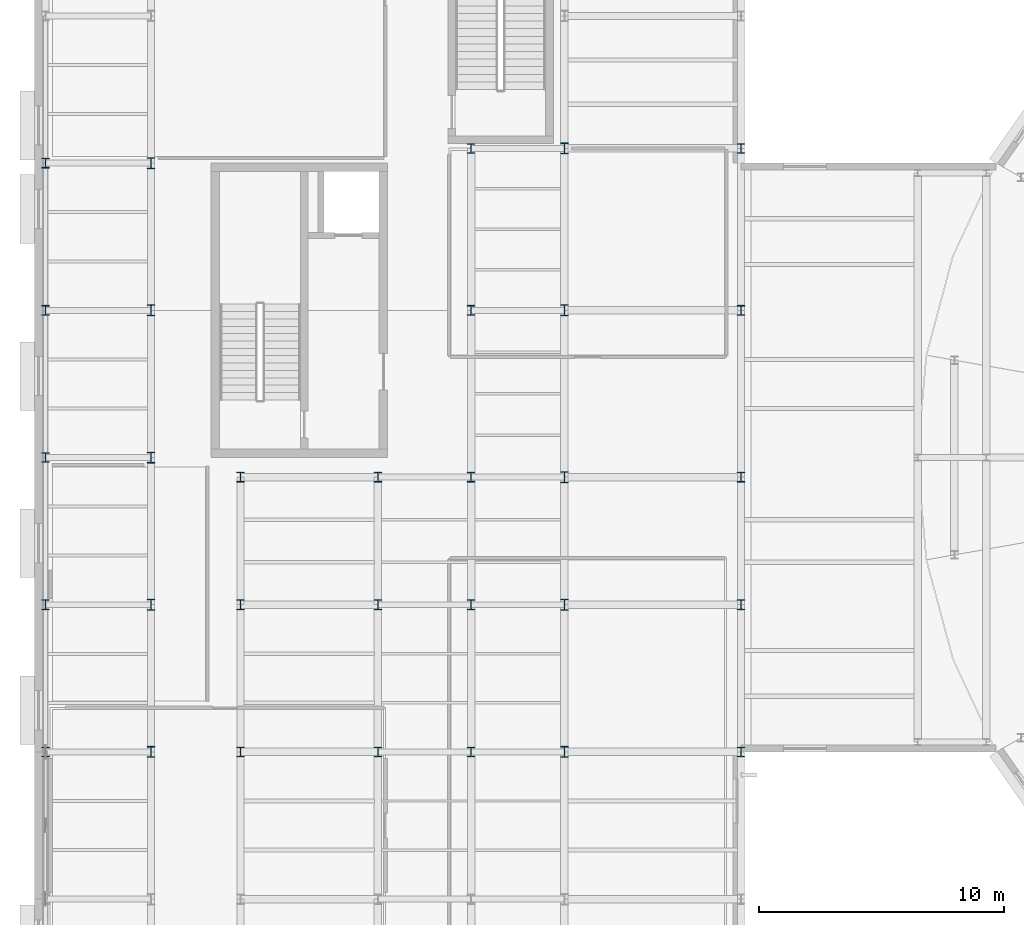
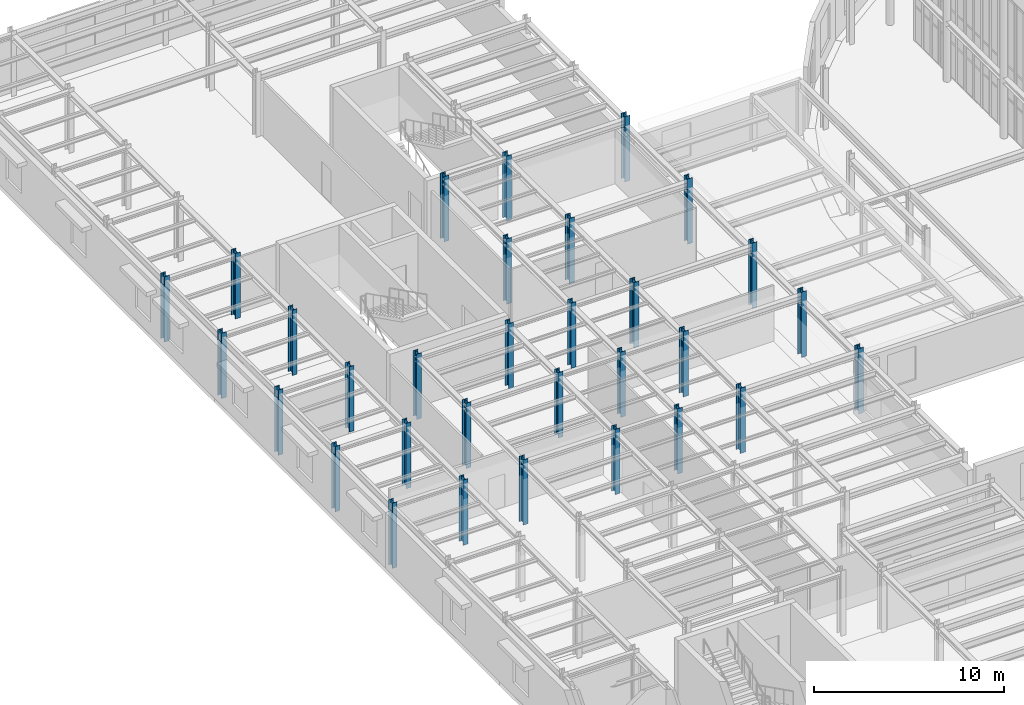
# One storey, part 3 of 75: 31 columns.
"""IFC4 building model written with IfcOpenShell, lengths in metres."""

import ifcopenshell
import ifcopenshell.guid

model = None  # the IFC model being written
_history = None  # IfcOwnerHistory: only IFC2X3 demands one
_inside = {}  # id of a spatial element -> (the spatial element, [elements in it])
_under = {}  # id of a project, library or spatial element -> (it, [spatial elements below it])
_declared = {}  # id of a project -> (the project, [libraries it declares])
_typed = {}  # id of a type object -> (the type object, [elements of that type])
_made_of = {}  # id of a material, layer set ... -> (it, [elements and type objects made of it])


def new_model(schema):
    """Start an empty IFC model of exactly this schema.

    Asked for "IFC4X3", IfcOpenShell would pick the latest addendum, in which some entities
    have other attributes; the version numbers below select the first issue.
    IFC2X3 requires an IfcOwnerHistory on every rooted entity: one is made here for all.
    """
    global model, _history
    if schema == "IFC4X3":
        model = ifcopenshell.file(schema_version=(4, 3, 0, 0))
    else:
        model = ifcopenshell.file(schema=schema)
    _inside.clear()
    _under.clear()
    _declared.clear()
    _typed.clear()
    _made_of.clear()
    _history = None
    if model.schema == "IFC2X3":
        org = make("IfcOrganization", Name="unknown")
        user = make(
            "IfcPersonAndOrganization",
            ThePerson=make("IfcPerson", FamilyName="unknown"),
            TheOrganization=org,
        )
        app = make(
            "IfcApplication",
            ApplicationDeveloper=org,
            Version="unknown",
            ApplicationFullName="unknown",
            ApplicationIdentifier="unknown",
        )
        _history = make(
            "IfcOwnerHistory",
            OwningUser=user,
            OwningApplication=app,
            ChangeAction="ADDED",
            CreationDate=0,
        )
    return model


def make(cls, **values):
    """One entity of the class cls with the attributes given. An attribute that is None is left unset."""
    return model.create_entity(
        cls, **{name: value for name, value in values.items() if value is not None}
    )


def rooted(cls, **values):
    """An entity with a GlobalId (a new one), such as an element, a storey or a relation."""
    return make(cls, GlobalId=ifcopenshell.guid.new(), OwnerHistory=_history, **values)


def si_unit(unit_type, name, prefix=None):
    """IfcSIUnit, for example si_unit("LENGTHUNIT", "METRE", prefix="MILLI")."""
    return make("IfcSIUnit", UnitType=unit_type, Prefix=prefix, Name=name)


def assignment(units):
    """IfcUnitAssignment: the units of a project."""
    return None if units is None else make("IfcUnitAssignment", Units=units)


def point(xyz):
    """IfcCartesianPoint."""
    return None if xyz is None else make("IfcCartesianPoint", Coordinates=xyz)


def direction(xyz):
    """IfcDirection."""
    return None if xyz is None else make("IfcDirection", DirectionRatios=xyz)


def frame(location, z_axis=None, x_axis=None):
    """IfcAxis2Placement3D, a coordinate frame: its origin and axes. An axis left out is left unset."""
    return make(
        "IfcAxis2Placement3D",
        Location=point(location),
        Axis=direction(z_axis),
        RefDirection=direction(x_axis),
    )


def frame_2d(location, x_axis=None):
    """IfcAxis2Placement2D, a coordinate frame in the plane: its origin and x axis."""
    return make(
        "IfcAxis2Placement2D", Location=point(location), RefDirection=direction(x_axis)
    )


def origin():
    """The frame at (0, 0, 0) with its axes left unset."""
    return frame((0.0, 0.0, 0.0))


def origin_2d():
    """The frame at (0, 0) in the plane with its x axis left unset."""
    return frame_2d((0.0, 0.0))


def place(relative_to, where):
    """IfcLocalPlacement: puts the frame where relative to a parent placement (None: the world)."""
    return make(
        "IfcLocalPlacement", PlacementRelTo=relative_to, RelativePlacement=where
    )


def context(
    kind, dimensions, precision=None, world=None, true_north=None, identifier=None
):
    """IfcGeometricRepresentationContext, for example the 3D "Model" context."""
    return make(
        "IfcGeometricRepresentationContext",
        ContextIdentifier=identifier,
        ContextType=kind,
        CoordinateSpaceDimension=dimensions,
        Precision=precision,
        WorldCoordinateSystem=world,
        TrueNorth=true_north,
    )


def subcontext(parent, identifier, kind, view, scale=None):
    """IfcGeometricRepresentationSubContext, for example "Body" below "Model"."""
    return make(
        "IfcGeometricRepresentationSubContext",
        ContextIdentifier=identifier,
        ContextType=kind,
        ParentContext=parent,
        TargetScale=scale,
        TargetView=view,
    )


def project(units=None, contexts=None):
    """IfcProject with its units and contexts."""
    return rooted(
        "IfcProject",
        Name="project",
        RepresentationContexts=contexts,
        UnitsInContext=assignment(units),
    )


def spatial(cls, under=None, at=None, **own):
    """A site, building, storey or space (cls), placed at a placement, below another one or the project."""
    s = rooted(cls, ObjectPlacement=at, **own)
    if under is not None:
        _under.setdefault(under.id(), (under, []))[1].append(s)
    return s


def profile(cls, at=None, kind="AREA", **sizes):
    """A parametric profile (cls). Its sizes go by their IFC names, for example OverallWidth=200.0."""
    return make(cls, ProfileType=kind, Position=at, **sizes)


def i_section(**sizes):
    """IfcIShapeProfileDef."""
    return profile("IfcIShapeProfileDef", **sizes)


def extrude(swept, where, along, depth):
    """IfcExtrudedAreaSolid: the profile swept, set in the frame where, extruded along a direction by depth."""
    return make(
        "IfcExtrudedAreaSolid",
        SweptArea=swept,
        Position=where,
        ExtrudedDirection=direction(along),
        Depth=depth,
    )


def shape(context_of_items, identifier, shape_type, items):
    """IfcShapeRepresentation: the items that make up one representation, for example the "Body"."""
    return make(
        "IfcShapeRepresentation",
        ContextOfItems=context_of_items,
        RepresentationIdentifier=identifier,
        RepresentationType=shape_type,
        Items=items,
    )


def material(Name=None, Category=None):
    """IfcMaterial."""
    return make("IfcMaterial", Name=Name, Category=Category)


def material_profile(
    of_material, cross_section, Name=None, Category=None, Priority=None
):
    """IfcMaterialProfile: a cross section and its material."""
    return make(
        "IfcMaterialProfile",
        Name=Name,
        Material=of_material,
        Profile=cross_section,
        Priority=Priority,
        Category=Category,
    )


def profile_set(profiles, Name=None, composite=None):
    """IfcMaterialProfileSet."""
    return make(
        "IfcMaterialProfileSet",
        Name=Name,
        MaterialProfiles=profiles,
        CompositeProfile=composite,
    )


def made_of(thing, what):
    """Note that an element or type object is made of a material, layer set ...; save() writes the relation."""
    if what is not None:
        _made_of.setdefault(what.id(), (what, []))[1].append(thing)
    return thing


def type_object(cls, material=None, **own):
    """A type object (cls), such as IfcWallType, which elements share."""
    return made_of(rooted(cls, **own), material)


def element(
    cls,
    number,
    at=None,
    inside=None,
    cuts=None,
    type_object=None,
    material=None,
    context=None,
    identifier="Body",
    shape_type=None,
    held_by="IfcProductDefinitionShape",
    body=None,
    shapes=None,
    **own,
):
    """One element of the class cls, such as IfcWall. Its Tag is "e" and its number.

    at: its placement. inside: the storey or other place that contains it. cuts: it is an
    opening in that element (IfcRelVoidsElement). A single representation is given by context,
    identifier, shape_type and body (its items); several are given by shapes. held_by: the class
    of the entity that holds the representations. save() writes the other relations.
    """
    e = rooted(cls, Tag="e%d" % number, ObjectPlacement=at, **own)
    if body is not None:
        shapes = [shape(context, identifier, shape_type, body)]
    if shapes is not None:
        e.Representation = make(held_by, Representations=shapes)
    if inside is not None:
        _inside.setdefault(inside.id(), (inside, []))[1].append(e)
    if cuts is not None:
        rooted(
            "IfcRelVoidsElement", RelatingBuildingElement=cuts, RelatedOpeningElement=e
        )
    if type_object is not None:
        _typed.setdefault(type_object.id(), (type_object, []))[1].append(e)
    return made_of(e, material)


def aggregate(whole, parts):
    """IfcRelAggregates: a whole, such as a stair, and the parts it consists of."""
    return rooted("IfcRelAggregates", RelatingObject=whole, RelatedObjects=parts)


def save(model, path):
    """Write the relations noted so far, then the file.

    IfcRelAggregates (storeys below a building ...), IfcRelContainedInSpatialStructure (elements
    in a storey), IfcRelDefinesByType, IfcRelAssociatesMaterial and IfcRelDeclares: one each for
    every whole, place, type object, material and project.
    """
    for whole, parts in _under.values():
        aggregate(whole, parts)
    for where, things in _inside.values():
        rooted(
            "IfcRelContainedInSpatialStructure",
            RelatedElements=things,
            RelatingStructure=where,
        )
    for kind, things in _typed.values():
        rooted("IfcRelDefinesByType", RelatedObjects=things, RelatingType=kind)
    for what, things in _made_of.values():
        rooted("IfcRelAssociatesMaterial", RelatedObjects=things, RelatingMaterial=what)
    for by, libraries in _declared.values():
        rooted("IfcRelDeclares", RelatingContext=by, RelatedDefinitions=libraries)
    model.write(path)


model = new_model("IFC4")

# Units and contexts
model_context = context("Model", 3, precision=1e-05, world=origin(), true_north=direction((0.0, 1.0)))
body_context = subcontext(model_context, "Body", "Model", "MODEL_VIEW")
ifc_project = project(units=[si_unit("LENGTHUNIT", "METRE"), si_unit("AREAUNIT", "SQUARE_METRE"), si_unit("VOLUMEUNIT", "CUBIC_METRE"), si_unit("PLANEANGLEUNIT", "RADIAN"), si_unit("MASSUNIT", "GRAM", prefix="KILO")], contexts=[model_context])

# Site, building, storey
site_placement = place(None, origin())
site = spatial("IfcSite", under=ifc_project, at=site_placement, CompositionType="ELEMENT")
building_placement = place(site_placement, origin())
building = spatial("IfcBuilding", under=site, at=building_placement, Name="Kolvaren Corner Interchange", CompositionType="ELEMENT")
storey_placement = place(building_placement, frame((0.0, 0.0, 10.5)))
storey = spatial("IfcBuildingStorey", under=building, at=storey_placement, Name="L03", CompositionType="ELEMENT", Elevation=10.5)

# Columns
ifc_material_1 = material(Name="Steel S355", Category="steel")
ifc_material_profile_1 = material_profile(ifc_material_1, i_section(OverallWidth=0.300048828125, OverallDepth=0.39990234375, WebThickness=0.013427734375, FlangeThickness=0.02392578125, FilletRadius=0.027099609375, at=origin_2d()), Name="HEB 400")
ifc_profile_set_1 = profile_set([ifc_material_profile_1], Name="Steel S355")
column_type_1 = type_object("IfcColumnType", Name="COL-HEB400", PredefinedType="COLUMN", material=ifc_profile_set_1)
for number, where, z_axis, x_axis, name in (
    (1, (0.449951171875, 36.0, 0.0), (0.0, 0.0, 1.0), (1.0, 0.0, 0.0), "Storey L03 Structural Column 0033"),
    (2, (0.449951171875, 42.0, 0.0), (0.0, 0.0, 1.0), (1.0, 0.0, 0.0), "Storey L03 Structural Column 0038"),
    (3, (0.449951171875, 48.0, 0.0), (0.0, 0.0, 1.0), (1.0, 0.0, 0.0), "Storey L03 Structural Column 0043"),
    (4, (0.449951171875, 54.0, 0.0), (0.0, 0.0, 1.0), (1.0, 0.0, 0.0), "Storey L03 Structural Column 0048"),
    (5, (0.449951171875, 60.0, 0.0), (0.0, 0.0, 1.0), (1.0, 0.0, 0.0), "Storey L03 Structural Column 0053"),
    (6, (8.39990234375, 36.0, 0.0), (0.0, 0.0, 1.0), (1.0, 0.0, 0.0), "Storey L03 Structural Column 0233"),
    (7, (8.39990234375, 42.0, 0.0), (0.0, 0.0, 1.0), (1.0, 0.0, 0.0), "Storey L03 Structural Column 0239"),
    (8, (8.39990234375, 47.199951171875, 0.0), (0.0, 0.0, 1.0), (1.0, 0.0, 0.0), "Storey L03 Structural Column 0245"),
    (9, (14.0, 36.0, 0.0), (0.0, 0.0, 1.0), (1.0, 0.0, 0.0), "Storey L03 Structural Column 0269"),
    (10, (14.0, 42.0, 0.0), (0.0, 0.0, 1.0), (1.0, 0.0, 0.0), "Storey L03 Structural Column 0275"),
    (11, (14.0, 47.199951171875, 0.0), (0.0, 0.0, 1.0), (1.0, 0.0, 0.0), "Storey L03 Structural Column 0281"),
    (12, (17.800048828125, 36.0, 0.0), (0.0, 0.0, 1.0), (1.0, 0.0, 0.0), "Storey L03 Structural Column 0305"),
    (13, (17.800048828125, 42.0, 0.0), (0.0, 0.0, 1.0), (1.0, 0.0, 0.0), "Storey L03 Structural Column 0311"),
    (14, (17.800048828125, 47.199951171875, 0.0), (0.0, 0.0, 1.0), (1.0, 0.0, 0.0), "Storey L03 Structural Column 0317"),
    (15, (17.800048828125, 54.0, 0.0), (0.0, 0.0, 1.0), (1.0, 0.0, 0.0), "Storey L03 Structural Column 0323"),
    (16, (17.800048828125, 60.60009765625, 0.0), (0.0, 0.0, 1.0), (1.0, 0.0, 0.0), "Storey L03 Structural Column 0329"),
    (17, (28.800048828125, 36.0, 0.0), (0.0, 0.0, 1.0), (1.0, 0.0, 0.0), "Storey L03 Structural Column 0393"),
    (18, (28.800048828125, 42.0, 0.0), (0.0, 0.0, 1.0), (1.0, 0.0, 0.0), "Storey L03 Structural Column 0397"),
    (19, (28.800048828125, 47.199951171875, 0.0), (0.0, 0.0, 1.0), (1.0, 0.0, 0.0), "Storey L03 Structural Column 0401"),
    (20, (28.800048828125, 54.0, 0.0), (0.0, 0.0, 1.0), (1.0, 0.0, 0.0), "Storey L03 Structural Column 0405"),
    (21, (28.800048828125, 60.60009765625, 0.0), (0.0, 0.0, 1.0), (1.0, 0.0, 0.0), "Storey L03 Structural Column 0409"),
):
    element("IfcColumn", number, at=place(storey_placement, frame(where, z_axis=z_axis, x_axis=x_axis)), inside=storey, type_object=column_type_1, Name=name, PredefinedType="COLUMN", context=body_context, shape_type="SweptSolid", body=[
        extrude(i_section(OverallWidth=0.300048828125, OverallDepth=0.39990234375, WebThickness=0.013427734375, FlangeThickness=0.02392578125, FilletRadius=0.027099609375, at=origin_2d()), origin(), (0.0, 0.0, 1.0), 4.199951171875),
    ])
ifc_material_2 = material(Name="Steel S355", Category="steel")
ifc_material_profile_2 = material_profile(ifc_material_2, i_section(OverallWidth=0.300048828125, OverallDepth=0.449951171875, WebThickness=0.013916015625, FlangeThickness=0.02587890625, FilletRadius=0.027099609375, at=origin_2d()), Name="HEB 450")
ifc_profile_set_2 = profile_set([ifc_material_profile_2], Name="Steel S355")
column_type_2 = type_object("IfcColumnType", Name="COL-HEB450", PredefinedType="COLUMN", material=ifc_profile_set_2)
for number, where, z_axis, x_axis, name in (
    (22, (4.75, 36.0, 0.0), (0.0, 0.0, 1.0), (1.0, 0.0, 0.0), "Storey L03 Structural Column 0101"),
    (23, (4.75, 42.0, 0.0), (0.0, 0.0, 1.0), (1.0, 0.0, 0.0), "Storey L03 Structural Column 0106"),
    (24, (4.75, 48.0, 0.0), (0.0, 0.0, 1.0), (1.0, 0.0, 0.0), "Storey L03 Structural Column 0111"),
    (25, (4.75, 54.0, 0.0), (0.0, 0.0, 1.0), (1.0, 0.0, 0.0), "Storey L03 Structural Column 0116"),
    (26, (4.75, 60.0, 0.0), (0.0, 0.0, 1.0), (1.0, 0.0, 0.0), "Storey L03 Structural Column 0121"),
    (27, (21.60009765625, 36.0, 0.0), (0.0, 0.0, 1.0), (1.0, 0.0, 0.0), "Storey L03 Structural Column 0346"),
    (28, (21.60009765625, 42.0, 0.0), (0.0, 0.0, 1.0), (1.0, 0.0, 0.0), "Storey L03 Structural Column 0352"),
    (29, (21.60009765625, 47.199951171875, 0.0), (0.0, 0.0, 1.0), (1.0, 0.0, 0.0), "Storey L03 Structural Column 0358"),
    (30, (21.60009765625, 54.0, 0.0), (0.0, 0.0, 1.0), (1.0, 0.0, 0.0), "Storey L03 Structural Column 0364"),
    (31, (21.60009765625, 60.60009765625, 0.0), (0.0, 0.0, 1.0), (1.0, 0.0, 0.0), "Storey L03 Structural Column 0370"),
):
    element("IfcColumn", number, at=place(storey_placement, frame(where, z_axis=z_axis, x_axis=x_axis)), inside=storey, type_object=column_type_2, Name=name, PredefinedType="COLUMN", context=body_context, shape_type="SweptSolid", body=[
        extrude(i_section(OverallWidth=0.300048828125, OverallDepth=0.449951171875, WebThickness=0.013916015625, FlangeThickness=0.02587890625, FilletRadius=0.027099609375, at=origin_2d()), origin(), (0.0, 0.0, 1.0), 4.199951171875),
    ])

save(model, "model.ifc")
